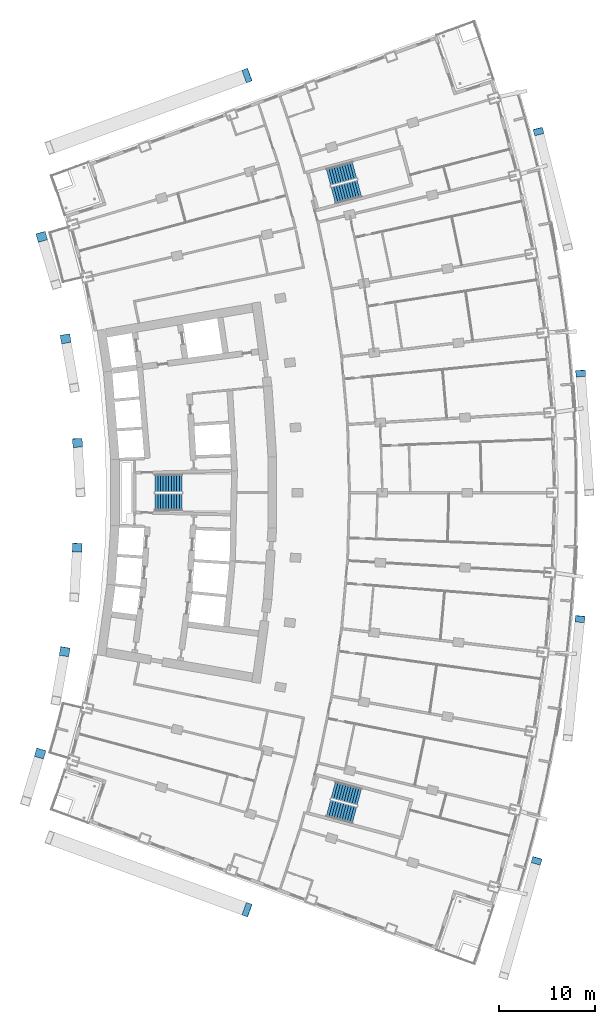
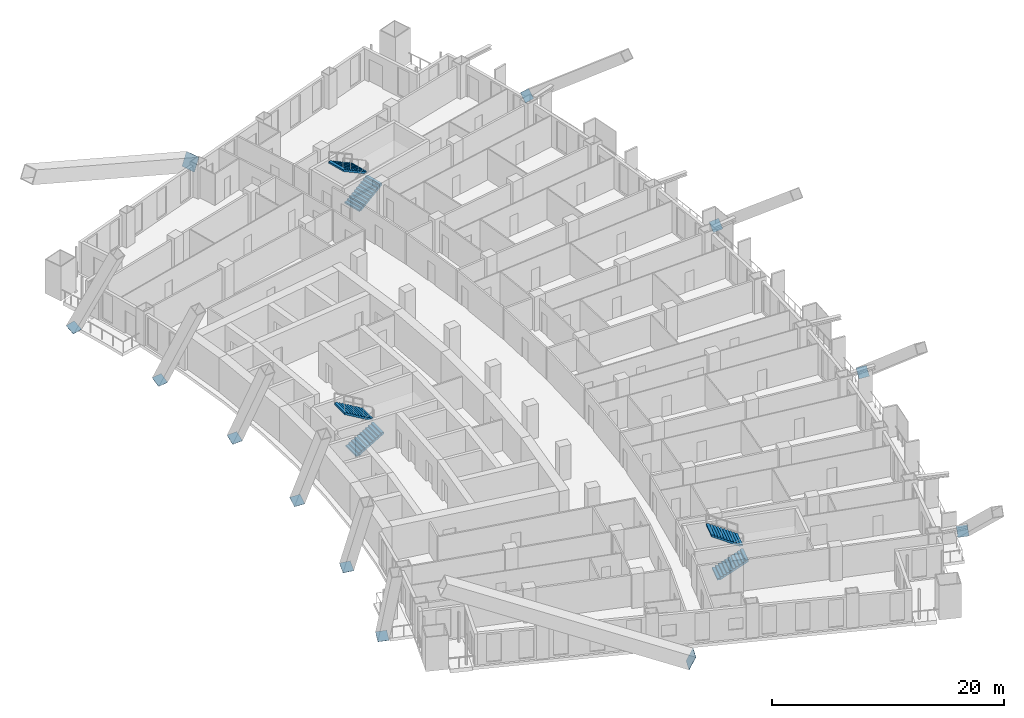
# One storey, part 22 of 25: 12 discrete accessories, 6 stair flights, 3 elements without a shape of their own.
"""IFC4 building model written with IfcOpenShell, lengths in metres."""

from ifc_helpers import new_model, si_unit, direction, frame, origin, origin_2d, place, context, subcontext, project, spatial, polyline, rectangle, outline, extrude, material, layer, layer_set, material_profile, profile_set, type_object, element, aggregate, save


model = new_model("IFC4")

# Units and contexts
model_context = context("Model", 3, precision=1e-05, world=origin(), true_north=direction((0.0, 1.0)))
body_context = subcontext(model_context, "Body", "Model", "MODEL_VIEW")
ifc_project = project(units=[si_unit("LENGTHUNIT", "METRE"), si_unit("AREAUNIT", "SQUARE_METRE"), si_unit("VOLUMEUNIT", "CUBIC_METRE"), si_unit("PLANEANGLEUNIT", "RADIAN"), si_unit("MASSUNIT", "GRAM", prefix="KILO")], contexts=[model_context])

# Site, building, storey
site_placement = place(None, origin())
site = spatial("IfcSite", under=ifc_project, at=site_placement, CompositionType="ELEMENT")
building_placement = place(site_placement, origin())
building = spatial("IfcBuilding", under=site, at=building_placement, Name="Alderwake Tower", CompositionType="ELEMENT")
storey_placement = place(building_placement, frame((0.0, 0.0, 64.39990234375)))
storey = spatial("IfcBuildingStorey", under=building, at=storey_placement, Name="L15", CompositionType="ELEMENT", Elevation=64.39990234375)

# Stair, stair flights
ifc_material_1 = material(Name="Concrete C40/50", Category="concrete")
stair_type = type_object("IfcStairType", Name="Core exit stair", PredefinedType="HALF_TURN_STAIR", material=ifc_material_1)
stair_1_placement = place(storey_placement, origin())
stair_1 = element("IfcStair", 1, at=stair_1_placement, inside=storey, type_object=stair_type, Name="L15 Exit Stair B", PredefinedType="HALF_TURN_STAIR")
ifc_material_2 = material(Name="Concrete C40/50", Category="concrete")
ifc_layer = layer(ifc_material_2, 0.14990234375)
ifc_layer_set = layer_set([ifc_layer], Name="Core stair flight")
stair_flight_type = type_object("IfcStairFlightType", Name="Core stair flight", PredefinedType="STRAIGHT", material=ifc_layer_set)
stair_flight_1_placement = place(storey_placement, frame((21.0400390625, 60.02490234375, 0.0), z_axis=(0.0, 0.0, 1.0), x_axis=(1.0, 0.0, 0.0)))
stair_flight_1 = element("IfcStairFlight", 2, at=stair_flight_1_placement, type_object=stair_flight_type, Name="ST-B flight 1", NumberOfRisers=11, NumberOfTreads=10, PredefinedType="STRAIGHT", RiserHeight=0.163636364, TreadLength=0.28, context=body_context, shape_type="SweptSolid", body=[
    extrude(outline(polyline([(0.0, 0.0), (0.0, 0.16357421875), (0.280029296875, 0.16357421875), (0.280029296875, 0.327392578125), (0.56005859375, 0.327392578125), (0.56005859375, 0.490966796875), (0.840087890625, 0.490966796875), (0.840087890625, 0.654541015625), (1.1201171875, 0.654541015625), (1.1201171875, 0.818115234375), (1.39990234375, 0.818115234375), (1.39990234375, 0.98193359375), (1.679931640625, 0.98193359375), (1.679931640625, 1.1455078125), (1.9599609375, 1.1455078125), (1.9599609375, 1.30908203125), (2.239990234375, 1.30908203125), (2.239990234375, 1.47265625), (2.52001953125, 1.47265625), (2.52001953125, 1.636474609375), (2.800048828125, 1.636474609375), (2.800048828125, 1.800048828125), (2.800048828125, 1.462646484375), (0.297119140625, 0.0), (0.0, 0.0)])), frame((0.0, 0.89990234375, 0.0), z_axis=(0.0, -1.0, 0.0), x_axis=(1.0, 0.0, 0.0)), (0.0, 0.0, 1.0), 1.800048828125),
])
stair_flight_2_placement = place(storey_placement, frame((23.840087890625, 61.97509765625, 1.800048828125), z_axis=(0.0, 0.0, 1.0), x_axis=(-1.0, 0.0, 0.0)))
stair_flight_2 = element("IfcStairFlight", 3, at=stair_flight_2_placement, type_object=stair_flight_type, Name="ST-B flight 2", NumberOfRisers=11, NumberOfTreads=10, PredefinedType="STRAIGHT", RiserHeight=0.163636364, TreadLength=0.28, context=body_context, shape_type="SweptSolid", body=[
    extrude(outline(polyline([(0.0, 0.0), (0.0, 0.16357421875), (0.280029296875, 0.16357421875), (0.280029296875, 0.327392578125), (0.56005859375, 0.327392578125), (0.56005859375, 0.490966796875), (0.840087890625, 0.490966796875), (0.840087890625, 0.654541015625), (1.1201171875, 0.654541015625), (1.1201171875, 0.818115234375), (1.39990234375, 0.818115234375), (1.39990234375, 0.98193359375), (1.679931640625, 0.98193359375), (1.679931640625, 1.1455078125), (1.9599609375, 1.1455078125), (1.9599609375, 1.30908203125), (2.239990234375, 1.30908203125), (2.239990234375, 1.47265625), (2.52001953125, 1.47265625), (2.52001953125, 1.636474609375), (2.800048828125, 1.636474609375), (2.800048828125, 1.800048828125), (2.800048828125, 1.462646484375), (0.297119140625, 0.0), (0.0, 0.0)])), frame((0.0, 0.89990234375, 0.0), z_axis=(0.0, -1.0, 0.0), x_axis=(1.0, 0.0, 0.0)), (0.0, 0.0, 1.0), 1.800048828125),
])
aggregate(stair_1, [stair_flight_1, stair_flight_2])

stair_2_placement = place(storey_placement, origin())
stair_2 = element("IfcStair", 4, at=stair_2_placement, inside=storey, type_object=stair_type, Name="L15 Exit Stair A", PredefinedType="HALF_TURN_STAIR")
stair_flight_3_placement = place(storey_placement, frame((39.512939453125, 91.823974609375, 0.0), z_axis=(0.0, 0.0, 1.0), x_axis=(0.966309627437, 0.257382407951, 0.0)))
stair_flight_3 = element("IfcStairFlight", 5, at=stair_flight_3_placement, type_object=stair_flight_type, Name="ST-A flight 1", NumberOfRisers=11, NumberOfTreads=10, PredefinedType="STRAIGHT", RiserHeight=0.163636364, TreadLength=0.28, context=body_context, shape_type="SweptSolid", body=[
    extrude(outline(polyline([(0.0, 0.0), (0.0, 0.16357421875), (0.280029296875, 0.16357421875), (0.280029296875, 0.327392578125), (0.56005859375, 0.327392578125), (0.56005859375, 0.490966796875), (0.840087890625, 0.490966796875), (0.840087890625, 0.654541015625), (1.1201171875, 0.654541015625), (1.1201171875, 0.818115234375), (1.39990234375, 0.818115234375), (1.39990234375, 0.98193359375), (1.679931640625, 0.98193359375), (1.679931640625, 1.1455078125), (1.9599609375, 1.1455078125), (1.9599609375, 1.30908203125), (2.239990234375, 1.30908203125), (2.239990234375, 1.47265625), (2.52001953125, 1.47265625), (2.52001953125, 1.636474609375), (2.800048828125, 1.636474609375), (2.800048828125, 1.800048828125), (2.800048828125, 1.462646484375), (0.297119140625, 0.0), (0.0, 0.0)])), frame((0.0, 0.89990234375, 0.0), z_axis=(0.0, -1.0, 0.0), x_axis=(1.0, 0.0, 0.0)), (0.0, 0.0, 1.0), 1.800048828125),
])
stair_flight_4_placement = place(storey_placement, frame((41.716796875, 94.428955078125, 1.800048828125), z_axis=(0.0, 0.0, 1.0), x_axis=(-0.966309627437, -0.257382407951, 0.0)))
stair_flight_4 = element("IfcStairFlight", 6, at=stair_flight_4_placement, type_object=stair_flight_type, Name="ST-A flight 2", NumberOfRisers=11, NumberOfTreads=10, PredefinedType="STRAIGHT", RiserHeight=0.163636364, TreadLength=0.28, context=body_context, shape_type="SweptSolid", body=[
    extrude(outline(polyline([(0.0, 0.0), (0.0, 0.16357421875), (0.280029296875, 0.16357421875), (0.280029296875, 0.327392578125), (0.56005859375, 0.327392578125), (0.56005859375, 0.490966796875), (0.840087890625, 0.490966796875), (0.840087890625, 0.654541015625), (1.1201171875, 0.654541015625), (1.1201171875, 0.818115234375), (1.39990234375, 0.818115234375), (1.39990234375, 0.98193359375), (1.679931640625, 0.98193359375), (1.679931640625, 1.1455078125), (1.9599609375, 1.1455078125), (1.9599609375, 1.30908203125), (2.239990234375, 1.30908203125), (2.239990234375, 1.47265625), (2.52001953125, 1.47265625), (2.52001953125, 1.636474609375), (2.800048828125, 1.636474609375), (2.800048828125, 1.800048828125), (2.800048828125, 1.462646484375), (0.297119140625, 0.0), (0.0, 0.0)])), frame((0.0, 0.89990234375, 0.0), z_axis=(0.0, -1.0, 0.0), x_axis=(1.0, 0.0, 0.0)), (0.0, 0.0, 1.0), 1.800048828125),
])
aggregate(stair_2, [stair_flight_3, stair_flight_4])

stair_3_placement = place(storey_placement, origin())
stair_3 = element("IfcStair", 7, at=stair_3_placement, inside=storey, type_object=stair_type, Name="L15 Exit Stair C", PredefinedType="HALF_TURN_STAIR")
stair_flight_5_placement = place(storey_placement, frame((39.010986328125, 28.291748046875, 0.0), z_axis=(0.0, 0.0, 1.0), x_axis=(0.966309627437, -0.257382407951, 0.0)))
stair_flight_5 = element("IfcStairFlight", 8, at=stair_flight_5_placement, type_object=stair_flight_type, Name="ST-C flight 1", NumberOfRisers=11, NumberOfTreads=10, PredefinedType="STRAIGHT", RiserHeight=0.163636364, TreadLength=0.28, context=body_context, shape_type="SweptSolid", body=[
    extrude(outline(polyline([(0.0, 0.0), (0.0, 0.16357421875), (0.280029296875, 0.16357421875), (0.280029296875, 0.327392578125), (0.56005859375, 0.327392578125), (0.56005859375, 0.490966796875), (0.840087890625, 0.490966796875), (0.840087890625, 0.654541015625), (1.1201171875, 0.654541015625), (1.1201171875, 0.818115234375), (1.39990234375, 0.818115234375), (1.39990234375, 0.98193359375), (1.679931640625, 0.98193359375), (1.679931640625, 1.1455078125), (1.9599609375, 1.1455078125), (1.9599609375, 1.30908203125), (2.239990234375, 1.30908203125), (2.239990234375, 1.47265625), (2.52001953125, 1.47265625), (2.52001953125, 1.636474609375), (2.800048828125, 1.636474609375), (2.800048828125, 1.800048828125), (2.800048828125, 1.462646484375), (0.297119140625, 0.0), (0.0, 0.0)])), frame((0.0, 0.89990234375, 0.0), z_axis=(0.0, -1.0, 0.0), x_axis=(1.0, 0.0, 0.0)), (0.0, 0.0, 1.0), 1.800048828125),
])
stair_flight_6_placement = place(storey_placement, frame((42.218505859375, 29.455322265625, 1.800048828125), z_axis=(0.0, 0.0, 1.0), x_axis=(-0.966309627437, 0.257382407951, 0.0)))
stair_flight_6 = element("IfcStairFlight", 9, at=stair_flight_6_placement, type_object=stair_flight_type, Name="ST-C flight 2", NumberOfRisers=11, NumberOfTreads=10, PredefinedType="STRAIGHT", RiserHeight=0.163636364, TreadLength=0.28, context=body_context, shape_type="SweptSolid", body=[
    extrude(outline(polyline([(0.0, 0.0), (0.0, 0.16357421875), (0.280029296875, 0.16357421875), (0.280029296875, 0.327392578125), (0.56005859375, 0.327392578125), (0.56005859375, 0.490966796875), (0.840087890625, 0.490966796875), (0.840087890625, 0.654541015625), (1.1201171875, 0.654541015625), (1.1201171875, 0.818115234375), (1.39990234375, 0.818115234375), (1.39990234375, 0.98193359375), (1.679931640625, 0.98193359375), (1.679931640625, 1.1455078125), (1.9599609375, 1.1455078125), (1.9599609375, 1.30908203125), (2.239990234375, 1.30908203125), (2.239990234375, 1.47265625), (2.52001953125, 1.47265625), (2.52001953125, 1.636474609375), (2.800048828125, 1.636474609375), (2.800048828125, 1.800048828125), (2.800048828125, 1.462646484375), (0.297119140625, 0.0), (0.0, 0.0)])), frame((0.0, 0.89990234375, 0.0), z_axis=(0.0, -1.0, 0.0), x_axis=(1.0, 0.0, 0.0)), (0.0, 0.0, 1.0), 1.800048828125),
])
aggregate(stair_3, [stair_flight_5, stair_flight_6])

# Discrete accessories
ifc_material_3 = material(Name="Steel ASTM A572 Grade 50", Category="steel")
ifc_material_profile_1 = material_profile(ifc_material_3, rectangle(XDim=1.0, YDim=1.0, at=origin_2d()), Name="BOX 1000X1000X60 cap")
ifc_profile_set_1 = profile_set([ifc_material_profile_1], Name="Steel ASTM A572 Grade 50")
discrete_accessory_type_1 = type_object("IfcDiscreteAccessoryType", Name="End cap plate BOX 1000X1000X60", PredefinedType="USERDEFINED", material=ifc_profile_set_1)
for number, where, z_axis, x_axis, name in (
    (10, (60.589599609375, 22.818603515625, 0.345458984375), (0.211054535295, 0.730573391407, -0.64939857014), (-0.960714182841, 0.277539652821, 0.0), "End cap BRF1.2.1B2 X"),
    (11, (65.090087890625, 47.879638671875, 0.345458984375), (0.0731683136, 0.756072573862, -0.650385009774), (-0.995350013555, 0.09632419486, 0.0), "End cap BRF1.2.4B2 X"),
):
    element("IfcDiscreteAccessory", number, at=place(storey_placement, frame(where, z_axis=z_axis, x_axis=x_axis)), inside=storey, type_object=discrete_accessory_type_1, Name=name, ObjectType="END CAP", PredefinedType="USERDEFINED", context=body_context, shape_type="SweptSolid", body=[
        extrude(rectangle(XDim=1.0, YDim=1.0, at=origin_2d()), origin(), (0.0, 0.0, 1.0), 0.030029296875),
    ])
discrete_accessory_placement = place(storey_placement, frame((65.158447265625, 73.34130859375, 0.345458984375), z_axis=(-0.056619407259, 0.760317754623, -0.647078940105), x_axis=(-0.99723873131, -0.074262458715, 0.0)))
element("IfcDiscreteAccessory", 12, at=discrete_accessory_placement, inside=storey, type_object=discrete_accessory_type_1, Name="End cap BRF1.2.7B2 X", ObjectType="END CAP", PredefinedType="USERDEFINED", context=body_context, shape_type="SweptSolid", body=[
    extrude(rectangle(XDim=1.0, YDim=1.0, at=origin_2d()), origin(), (0.0, 0.0, 1.0), 0.0302734375),
])
for number, where, z_axis, x_axis, name in (
    (13, (60.79248046875, 98.426025390625, 0.345458984375), (-0.178649363616, 0.73895873132, -0.649634049512), (-0.971998136057, -0.234988560365, 0.0), "End cap BRF1.2.10B2 X"),
    (14, (9.126708984375, 33.947998046875, 0.558349609375), (0.129926809902, 0.430382557802, -0.893246818079), (-0.957327710787, 0.289004591936, 0.0), "End cap BRR1.2.1B2 X"),
    (15, (11.669921875, 44.506591796875, 0.558349609375), (0.073248237966, 0.439489427795, -0.895256241805), (-0.986393923832, 0.164398987305, 0.0), "End cap BRR1.2.3B2 X"),
    (16, (12.966552734375, 55.289306640625, 0.558349609375), (0.024386214522, 0.447080599566, -0.894161199132), (-0.998515707931, 0.05446449316, 0.0), "End cap BRR1.2.5B2 X"),
    (17, (12.999267578125, 66.1494140625, 0.558349609375), (-0.024297273391, 0.453549103308, -0.890900024354), (-0.99856813227, -0.053494721372, 0.0), "End cap BRR1.2.7B2 X"),
    (18, (11.767578125, 76.939697265625, 0.558349609375), (-0.072985235949, 0.446020886357, -0.892041772714), (-0.986874582898, -0.161488568111, 0.0), "End cap BRR1.2.9B2 X"),
    (19, (9.288330078125, 87.513427734375, 0.558349609375), (-0.121931072609, 0.430823123218, -0.894161199132), (-0.962206045824, -0.272322465799, 0.0), "End cap BRR1.2.11B2 X"),
):
    element("IfcDiscreteAccessory", number, at=place(storey_placement, frame(where, z_axis=z_axis, x_axis=x_axis)), inside=storey, type_object=discrete_accessory_type_1, Name=name, ObjectType="END CAP", PredefinedType="USERDEFINED", context=body_context, shape_type="SweptSolid", body=[
        extrude(rectangle(XDim=1.0, YDim=1.0, at=origin_2d()), origin(), (0.0, 0.0, 1.0), 0.030029296875),
    ])
ifc_material_4 = material(Name="Steel ASTM A572 Grade 50", Category="steel")
ifc_material_profile_2 = material_profile(ifc_material_4, rectangle(XDim=1.39990234375, YDim=1.39990234375, at=origin_2d()), Name="BOX 1400X1400X80 cap")
ifc_profile_set_2 = profile_set([ifc_material_profile_2], Name="Steel ASTM A572 Grade 50")
discrete_accessory_type_2 = type_object("IfcDiscreteAccessoryType", Name="End cap plate BOX 1400X1400X80", PredefinedType="USERDEFINED", material=ifc_profile_set_2)
for number, where, z_axis, x_axis, name in (
    (20, (30.562255859375, 17.767333984375, 0.436279296875), (0.847210096674, -0.309557535323, -0.431751299267), (0.343192952924, 0.939264923791, 0.0), "End cap BRS1.2.0B2 X"),
    (21, (30.562255859375, 104.232666015625, 0.436279296875), (0.847210096674, 0.309557535323, -0.431751299267), (-0.343192952924, 0.939264923791, 0.0), "End cap BRN1.2.0B2 X"),
):
    element("IfcDiscreteAccessory", number, at=place(storey_placement, frame(where, z_axis=z_axis, x_axis=x_axis)), inside=storey, type_object=discrete_accessory_type_2, Name=name, ObjectType="END CAP", PredefinedType="USERDEFINED", context=body_context, shape_type="SweptSolid", body=[
        extrude(rectangle(XDim=1.39990234375, YDim=1.39990234375, at=origin_2d()), origin(), (0.0, 0.0, 1.0), 0.030029296875),
    ])

save(model, "model.ifc")
